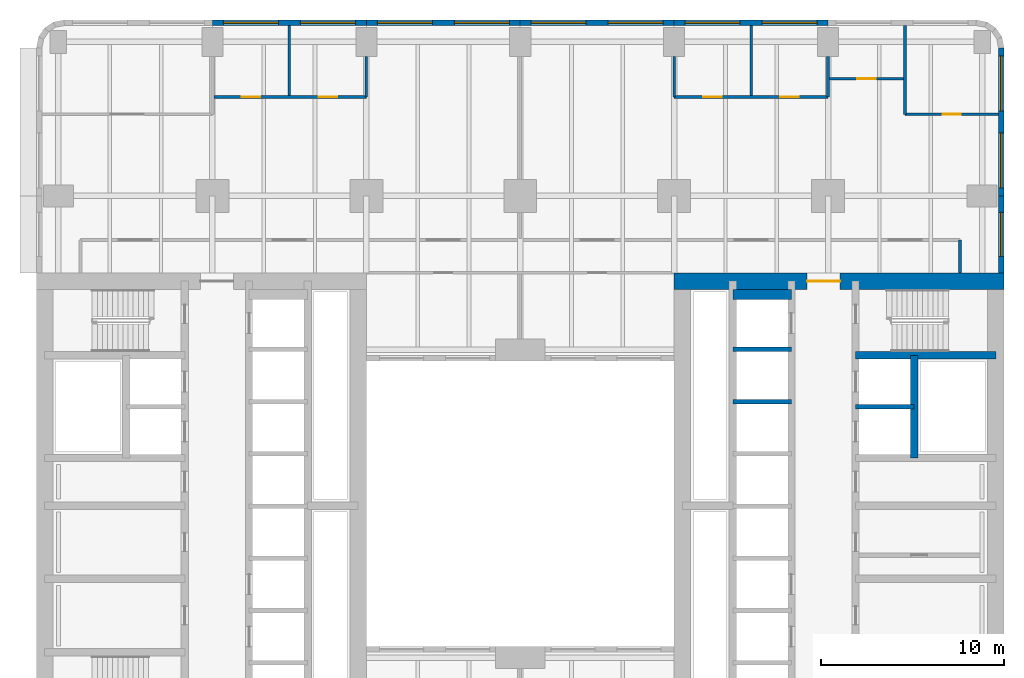
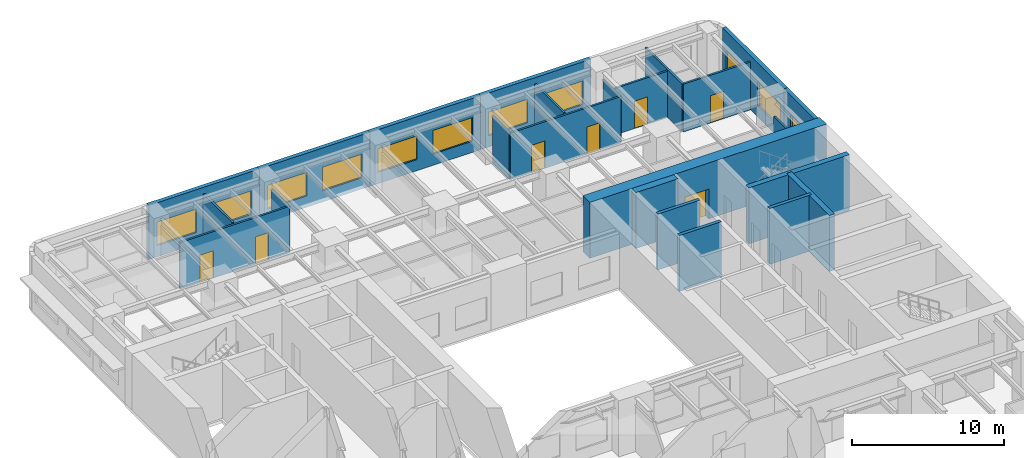
# One storey, part 7 of 12: 24 walls, 11 windows, 7 doors, 18 openings.
"""IFC4 building model written with IfcOpenShell, lengths in metres."""

from ifc_helpers import new_model, si_unit, direction, frame, frame_2d, origin, place, context, subcontext, project, spatial, rectangle, extrude, material, layer, layer_set, type_object, element, fill, save


model = new_model("IFC4")

# Units and contexts
model_context = context("Model", 3, precision=1e-05, world=origin(), true_north=direction((0.0, 1.0)))
body_context = subcontext(model_context, "Body", "Model", "MODEL_VIEW")
ifc_project = project(units=[si_unit("LENGTHUNIT", "METRE"), si_unit("AREAUNIT", "SQUARE_METRE"), si_unit("VOLUMEUNIT", "CUBIC_METRE"), si_unit("PLANEANGLEUNIT", "RADIAN"), si_unit("MASSUNIT", "GRAM", prefix="KILO")], contexts=[model_context])

# Site, building, storey
site_placement = place(None, origin())
site = spatial("IfcSite", under=ifc_project, at=site_placement, CompositionType="ELEMENT")
building_placement = place(site_placement, origin())
building = spatial("IfcBuilding", under=site, at=building_placement, Name="Claustro Exchange Tower", CompositionType="ELEMENT")
storey_placement = place(building_placement, frame((0.0, 0.0, 45.89990234375)))
storey = spatial("IfcBuildingStorey", under=building, at=storey_placement, Name="L10", CompositionType="ELEMENT", Elevation=45.89990234375)

# Wall, openings, doors
ifc_material_1 = material(Name="Gypsum board on steel studs", Category="steel")
ifc_layer_1 = layer(ifc_material_1, 0.14990234375)
ifc_layer_set_1 = layer_set([ifc_layer_1], Name="Gypsum board on steel studs")
wall_type_1 = type_object("IfcWallType", Name="P1 150 plasterboard partition", PredefinedType="PARTITIONING", material=ifc_layer_set_1)
wall_1_placement = place(storey_placement, frame((8.47412109375, 47.39990234375, 0.0), z_axis=(0.0, 0.0, 1.0), x_axis=(1.0, 0.0, 0.0)))
wall_1 = element("IfcWall", 1, at=wall_1_placement, inside=storey, type_object=wall_type_1, Name="Partition P1 L10", PredefinedType="PARTITIONING", context=body_context, shape_type="SweptSolid", body=[
    extrude(rectangle(XDim=8.325927734375, YDim=0.14990234375, at=frame_2d((4.1630859375, 0.0))), origin(), (0.0, 0.0, 1.0), 3.739990234375),
])
opening_1_placement = place(wall_1_placement, frame((1.52587890625, 0.0, 0.0)))
opening_1 = element("IfcOpeningElement", 2, at=opening_1_placement, cuts=wall_1, Name="Opening D1", PredefinedType="OPENING", context=body_context, shape_type="SweptSolid", body=[
    extrude(rectangle(XDim=1.0, YDim=2.199951171875, at=frame_2d((0.5, 1.10009765625))), frame((0.0, 0.0849609375, 0.0), z_axis=(0.0, -1.0, 0.0), x_axis=(1.0, 0.0, 0.0)), (0.0, 0.0, 1.0), 0.169921875),
])
opening_2_placement = place(wall_1_placement, frame((5.72607421875, 0.0, 0.0)))
opening_2 = element("IfcOpeningElement", 3, at=opening_2_placement, cuts=wall_1, Name="Opening D1", PredefinedType="OPENING", context=body_context, shape_type="SweptSolid", body=[
    extrude(rectangle(XDim=1.0, YDim=2.199951171875, at=frame_2d((0.5, 1.10009765625))), frame((0.0, 0.0849609375, 0.0), z_axis=(0.0, -1.0, 0.0), x_axis=(1.0, 0.0, 0.0)), (0.0, 0.0, 1.0), 0.169921875),
])
ifc_material_2 = material(Name="Timber door, oak veneer", Category="wood")
door_type_1 = type_object("IfcDoorType", Name="D1 1000 x 2200 single door", OperationType="SINGLE_SWING_LEFT", PredefinedType="DOOR", material=ifc_material_2)
door_1_placement = place(opening_1_placement, origin())
door_1 = element("IfcDoor", 4, at=door_1_placement, inside=storey, type_object=door_type_1, Name="Door D1 L10", OperationType="SINGLE_SWING_RIGHT", OverallHeight=2.199951171875, OverallWidth=1.0, PredefinedType="DOOR", context=body_context, shape_type="SweptSolid", body=[
    extrude(rectangle(XDim=1.0, YDim=2.199951171875, at=frame_2d((0.5, 1.10009765625))), frame((0.0, 0.02490234375, 0.0), z_axis=(0.0, -1.0, 0.0), x_axis=(1.0, 0.0, 0.0)), (0.0, 0.0, 1.0), 0.050048828125),
])
fill(opening_1, door_1)
door_2_placement = place(opening_2_placement, origin())
door_2 = element("IfcDoor", 5, at=door_2_placement, inside=storey, type_object=door_type_1, Name="Door D1 L10", OperationType="SINGLE_SWING_LEFT", OverallHeight=2.199951171875, OverallWidth=1.0, PredefinedType="DOOR", context=body_context, shape_type="SweptSolid", body=[
    extrude(rectangle(XDim=1.0, YDim=2.199951171875, at=frame_2d((0.5, 1.10009765625))), frame((0.0, 0.02490234375, 0.0), z_axis=(0.0, -1.0, 0.0), x_axis=(1.0, 0.0, 0.0)), (0.0, 0.0, 1.0), 0.050048828125),
])
fill(opening_2, door_2)

# Walls
wall_2_placement = place(storey_placement, frame((12.60009765625, 47.47412109375, 0.0), z_axis=(0.0, 0.0, 1.0), x_axis=(0.0, 1.0, 0.0)))
element("IfcWall", 6, at=wall_2_placement, inside=storey, type_object=wall_type_1, Name="Partition P1 L10", PredefinedType="PARTITIONING", context=body_context, shape_type="SweptSolid", body=[
    extrude(rectangle(XDim=3.827880859375, YDim=0.14990234375, at=frame_2d((1.9140625, 0.0))), origin(), (0.0, 0.0, 1.0), 3.840087890625),
])
wall_3_placement = place(storey_placement, frame((16.800048828125, 47.39990234375, 0.0), z_axis=(0.0, 0.0, 1.0), x_axis=(0.0, 1.0, 0.0)))
element("IfcWall", 7, at=wall_3_placement, inside=storey, type_object=wall_type_1, Name="Partition P1 L10", PredefinedType="PARTITIONING", context=body_context, shape_type="SweptSolid", body=[
    extrude(rectangle(XDim=2.201171875, YDim=0.14990234375, at=frame_2d((1.1005859375, 0.0))), origin(), (0.0, 0.0, 1.0), 3.739990234375),
])

# Wall, opening, door
wall_4_placement = place(storey_placement, frame((42.073974609375, 48.39990234375, 0.0), z_axis=(0.0, 0.0, 1.0), x_axis=(1.0, 0.0, 0.0)))
wall_4 = element("IfcWall", 8, at=wall_4_placement, inside=storey, type_object=wall_type_1, Name="Partition P1 L10", PredefinedType="PARTITIONING", context=body_context, shape_type="SweptSolid", body=[
    extrude(rectangle(XDim=4.052001953125, YDim=0.14990234375, at=frame_2d((2.02587890625, 0.0))), origin(), (0.0, 0.0, 1.0), 3.739990234375),
])
opening_3_placement = place(wall_4_placement, frame((1.52587890625, 0.0, 0.0)))
opening_3 = element("IfcOpeningElement", 9, at=opening_3_placement, cuts=wall_4, Name="Opening D1", PredefinedType="OPENING", context=body_context, shape_type="SweptSolid", body=[
    extrude(rectangle(XDim=1.0, YDim=2.199951171875, at=frame_2d((0.5, 1.10009765625))), frame((0.0, 0.0849609375, 0.0), z_axis=(0.0, -1.0, 0.0), x_axis=(1.0, 0.0, 0.0)), (0.0, 0.0, 1.0), 0.169921875),
])
door_3_placement = place(opening_3_placement, origin())
door_3 = element("IfcDoor", 10, at=door_3_placement, inside=storey, type_object=door_type_1, Name="Door D1 L10", OperationType="SINGLE_SWING_LEFT", OverallHeight=2.199951171875, OverallWidth=1.0, PredefinedType="DOOR", context=body_context, shape_type="SweptSolid", body=[
    extrude(rectangle(XDim=1.0, YDim=2.199951171875, at=frame_2d((0.5, 1.10009765625))), frame((0.0, 0.02490234375, 0.0), z_axis=(0.0, -1.0, 0.0), x_axis=(1.0, 0.0, 0.0)), (0.0, 0.0, 1.0), 0.050048828125),
])
fill(opening_3, door_3)

wall_5_placement = place(storey_placement, frame((46.199951171875, 46.449951171875, 0.0), z_axis=(0.0, 0.0, 1.0), x_axis=(1.0, 0.0, 0.0)))
wall_5 = element("IfcWall", 11, at=wall_5_placement, inside=storey, type_object=wall_type_1, Name="Partition P1 L10", PredefinedType="PARTITIONING", context=body_context, shape_type="SweptSolid", body=[
    extrude(rectangle(XDim=5.10205078125, YDim=0.14990234375, at=frame_2d((2.551025390625, 0.0))), origin(), (0.0, 0.0, 1.0), 3.840087890625),
])
opening_4_placement = place(wall_5_placement, frame((2.050048828125, 0.0, 0.0)))
opening_4 = element("IfcOpeningElement", 12, at=opening_4_placement, cuts=wall_5, Name="Opening D1", PredefinedType="OPENING", context=body_context, shape_type="SweptSolid", body=[
    extrude(rectangle(XDim=1.0, YDim=2.199951171875, at=frame_2d((0.5, 1.10009765625))), frame((0.0, 0.0849609375, 0.0), z_axis=(0.0, -1.0, 0.0), x_axis=(1.0, 0.0, 0.0)), (0.0, 0.0, 1.0), 0.169921875),
])
door_4_placement = place(opening_4_placement, origin())
door_4 = element("IfcDoor", 13, at=door_4_placement, inside=storey, type_object=door_type_1, Name="Door D1 L10", OperationType="SINGLE_SWING_LEFT", OverallHeight=2.199951171875, OverallWidth=1.0, PredefinedType="DOOR", context=body_context, shape_type="SweptSolid", body=[
    extrude(rectangle(XDim=1.0, YDim=2.199951171875, at=frame_2d((0.5, 1.10009765625))), frame((0.0, 0.02490234375, 0.0), z_axis=(0.0, -1.0, 0.0), x_axis=(1.0, 0.0, 0.0)), (0.0, 0.0, 1.0), 0.050048828125),
])
fill(opening_4, door_4)

# Wall, openings, doors
wall_6_placement = place(storey_placement, frame((33.60009765625, 47.39990234375, 0.0), z_axis=(0.0, 0.0, 1.0), x_axis=(1.0, 0.0, 0.0)))
wall_6 = element("IfcWall", 14, at=wall_6_placement, inside=storey, type_object=wall_type_1, Name="Partition P1 L10", PredefinedType="PARTITIONING", context=body_context, shape_type="SweptSolid", body=[
    extrude(rectangle(XDim=8.39990234375, YDim=0.14990234375, at=frame_2d((4.199951171875, 0.0))), origin(), (0.0, 0.0, 1.0), 3.739990234375),
])
opening_5_placement = place(wall_6_placement, frame((1.60009765625, 0.0, 0.0)))
opening_5 = element("IfcOpeningElement", 15, at=opening_5_placement, cuts=wall_6, Name="Opening D1", PredefinedType="OPENING", context=body_context, shape_type="SweptSolid", body=[
    extrude(rectangle(XDim=1.0, YDim=2.199951171875, at=frame_2d((0.5, 1.10009765625))), frame((0.0, 0.0849609375, 0.0), z_axis=(0.0, -1.0, 0.0), x_axis=(1.0, 0.0, 0.0)), (0.0, 0.0, 1.0), 0.169921875),
])
opening_6_placement = place(wall_6_placement, frame((5.800048828125, 0.0, 0.0)))
opening_6 = element("IfcOpeningElement", 16, at=opening_6_placement, cuts=wall_6, Name="Opening D1", PredefinedType="OPENING", context=body_context, shape_type="SweptSolid", body=[
    extrude(rectangle(XDim=1.0, YDim=2.199951171875, at=frame_2d((0.5, 1.10009765625))), frame((0.0, 0.0849609375, 0.0), z_axis=(0.0, -1.0, 0.0), x_axis=(1.0, 0.0, 0.0)), (0.0, 0.0, 1.0), 0.169921875),
])
door_5_placement = place(opening_5_placement, origin())
door_5 = element("IfcDoor", 17, at=door_5_placement, inside=storey, type_object=door_type_1, Name="Door D1 L10", OperationType="SINGLE_SWING_RIGHT", OverallHeight=2.199951171875, OverallWidth=1.0, PredefinedType="DOOR", context=body_context, shape_type="SweptSolid", body=[
    extrude(rectangle(XDim=1.0, YDim=2.199951171875, at=frame_2d((0.5, 1.10009765625))), frame((0.0, 0.02490234375, 0.0), z_axis=(0.0, -1.0, 0.0), x_axis=(1.0, 0.0, 0.0)), (0.0, 0.0, 1.0), 0.050048828125),
])
fill(opening_5, door_5)
door_6_placement = place(opening_6_placement, origin())
door_6 = element("IfcDoor", 18, at=door_6_placement, inside=storey, type_object=door_type_1, Name="Door D1 L10", OperationType="SINGLE_SWING_RIGHT", OverallHeight=2.199951171875, OverallWidth=1.0, PredefinedType="DOOR", context=body_context, shape_type="SweptSolid", body=[
    extrude(rectangle(XDim=1.0, YDim=2.199951171875, at=frame_2d((0.5, 1.10009765625))), frame((0.0, 0.02490234375, 0.0), z_axis=(0.0, -1.0, 0.0), x_axis=(1.0, 0.0, 0.0)), (0.0, 0.0, 1.0), 0.050048828125),
])
fill(opening_6, door_6)

# Walls
wall_7_placement = place(storey_placement, frame((33.60009765625, 47.39990234375, 0.0), z_axis=(0.0, 0.0, 1.0), x_axis=(0.0, 1.0, 0.0)))
element("IfcWall", 19, at=wall_7_placement, inside=storey, type_object=wall_type_1, Name="Partition P1 L10", PredefinedType="PARTITIONING", context=body_context, shape_type="SweptSolid", body=[
    extrude(rectangle(XDim=2.201171875, YDim=0.14990234375, at=frame_2d((1.1005859375, 0.0))), origin(), (0.0, 0.0, 1.0), 3.739990234375),
])
wall_8_placement = place(storey_placement, frame((37.800048828125, 47.47412109375, 0.0), z_axis=(0.0, 0.0, 1.0), x_axis=(0.0, 1.0, 0.0)))
element("IfcWall", 20, at=wall_8_placement, inside=storey, type_object=wall_type_1, Name="Partition P1 L10", PredefinedType="PARTITIONING", context=body_context, shape_type="SweptSolid", body=[
    extrude(rectangle(XDim=3.827880859375, YDim=0.14990234375, at=frame_2d((1.9140625, 0.0))), origin(), (0.0, 0.0, 1.0), 3.840087890625),
])
wall_9_placement = place(storey_placement, frame((42.0, 47.39990234375, 0.0), z_axis=(0.0, 0.0, 1.0), x_axis=(0.0, 1.0, 0.0)))
element("IfcWall", 21, at=wall_9_placement, inside=storey, type_object=wall_type_1, Name="Partition P1 L10", PredefinedType="PARTITIONING", context=body_context, shape_type="SweptSolid", body=[
    extrude(rectangle(XDim=2.201171875, YDim=0.14990234375, at=frame_2d((1.1005859375, 0.0))), origin(), (0.0, 0.0, 1.0), 3.739990234375),
])
wall_10_placement = place(storey_placement, frame((46.199951171875, 46.449951171875, 0.0), z_axis=(0.0, 0.0, 1.0), x_axis=(0.0, 1.0, 0.0)))
element("IfcWall", 22, at=wall_10_placement, inside=storey, type_object=wall_type_1, Name="Partition P1 L10", PredefinedType="PARTITIONING", context=body_context, shape_type="SweptSolid", body=[
    extrude(rectangle(XDim=4.85205078125, YDim=0.14990234375, at=frame_2d((2.426025390625, 0.0))), origin(), (0.0, 0.0, 1.0), 3.840087890625),
])
wall_11_placement = place(storey_placement, frame((49.199951171875, 37.800048828125, 0.0), z_axis=(0.0, 0.0, 1.0), x_axis=(0.0, 1.0, 0.0)))
element("IfcWall", 23, at=wall_11_placement, inside=storey, type_object=wall_type_1, Name="Partition P1 L10", PredefinedType="PARTITIONING", context=body_context, shape_type="SweptSolid", body=[
    extrude(rectangle(XDim=1.800048828125, YDim=0.14990234375, at=frame_2d((0.89990234375, 0.0))), origin(), (0.0, 0.0, 1.0), 4.340087890625),
])

# Wall, openings, windows
ifc_material_3 = material(Name="Concrete HA-40 (C40/50), precast, white cement, acid-etched", Category="concrete")
ifc_layer_2 = layer(ifc_material_3, 0.300048828125)
ifc_layer_set_2 = layer_set([ifc_layer_2], Name="Concrete HA-40 (C40/50), precast, white cement, acid-etched")
wall_type_2 = type_object("IfcWallType", Name="PC1 300 precast concrete pier panel", PredefinedType="SOLIDWALL", material=ifc_layer_set_2)
wall_12_placement = place(storey_placement, frame((8.39990234375, 51.449951171875, 0.0), z_axis=(0.0, 0.0, 1.0), x_axis=(1.0, 0.0, 0.0)))
wall_12 = element("IfcWall", 24, at=wall_12_placement, inside=storey, type_object=wall_type_2, Name="Precast pier panel PC1 L10", PredefinedType="SOLIDWALL", context=body_context, shape_type="SweptSolid", body=[
    extrude(rectangle(XDim=8.400146484375, YDim=0.300048828125, at=frame_2d((4.2001953125, 0.0))), origin(), (0.0, 0.0, 1.0), 4.340087890625),
])
opening_7_placement = place(wall_12_placement, frame((0.60009765625, 0.0, 0.89990234375)))
opening_7 = element("IfcOpeningElement", 25, at=opening_7_placement, cuts=wall_12, Name="Opening W1", PredefinedType="OPENING", context=body_context, shape_type="SweptSolid", body=[
    extrude(rectangle(XDim=3.0, YDim=1.89990234375, at=frame_2d((1.5, 0.949951171875))), frame((0.0, 0.159912109375, 0.0), z_axis=(0.0, -1.0, 0.0), x_axis=(1.0, 0.0, 0.0)), (0.0, 0.0, 1.0), 0.320068359375),
])
opening_8_placement = place(wall_12_placement, frame((4.800048828125, 0.0, 0.89990234375)))
opening_8 = element("IfcOpeningElement", 26, at=opening_8_placement, cuts=wall_12, Name="Opening W1", PredefinedType="OPENING", context=body_context, shape_type="SweptSolid", body=[
    extrude(rectangle(XDim=3.0, YDim=1.89990234375, at=frame_2d((1.5, 0.949951171875))), frame((0.0, 0.159912109375, 0.0), z_axis=(0.0, -1.0, 0.0), x_axis=(1.0, 0.0, 0.0)), (0.0, 0.0, 1.0), 0.320068359375),
])
ifc_material_4 = material(Name="Aluminium frame, clear double glazing", Category="aluminium")
window_type_1 = type_object("IfcWindowType", Name="W1 3000 x 1900 window", PartitioningType="SINGLE_PANEL", PredefinedType="WINDOW", material=ifc_material_4)
window_1_placement = place(opening_7_placement, origin())
window_1 = element("IfcWindow", 27, at=window_1_placement, inside=storey, type_object=window_type_1, Name="Window W1 L10", OverallHeight=1.89990234375, OverallWidth=3.0, PartitioningType="SINGLE_PANEL", PredefinedType="WINDOW", context=body_context, shape_type="SweptSolid", body=[
    extrude(rectangle(XDim=3.0, YDim=1.89990234375, at=frame_2d((1.5, 0.949951171875))), frame((0.0, 0.030029296875, 0.0), z_axis=(0.0, -1.0, 0.0), x_axis=(1.0, 0.0, 0.0)), (0.0, 0.0, 1.0), 0.06005859375),
])
fill(opening_7, window_1)
window_2_placement = place(opening_8_placement, origin())
window_2 = element("IfcWindow", 28, at=window_2_placement, inside=storey, type_object=window_type_1, Name="Window W1 L10", OverallHeight=1.89990234375, OverallWidth=3.0, PartitioningType="SINGLE_PANEL", PredefinedType="WINDOW", context=body_context, shape_type="SweptSolid", body=[
    extrude(rectangle(XDim=3.0, YDim=1.89990234375, at=frame_2d((1.5, 0.949951171875))), frame((0.0, 0.030029296875, 0.0), z_axis=(0.0, -1.0, 0.0), x_axis=(1.0, 0.0, 0.0)), (0.0, 0.0, 1.0), 0.06005859375),
])
fill(opening_8, window_2)

wall_13_placement = place(storey_placement, frame((16.800048828125, 51.449951171875, 0.0), z_axis=(0.0, 0.0, 1.0), x_axis=(1.0, 0.0, 0.0)))
wall_13 = element("IfcWall", 29, at=wall_13_placement, inside=storey, type_object=wall_type_2, Name="Precast pier panel PC1 L10", PredefinedType="SOLIDWALL", context=body_context, shape_type="SweptSolid", body=[
    extrude(rectangle(XDim=8.39990234375, YDim=0.300048828125, at=frame_2d((4.199951171875, 0.0))), origin(), (0.0, 0.0, 1.0), 4.340087890625),
])
opening_9_placement = place(wall_13_placement, frame((0.60009765625, 0.0, 0.89990234375)))
opening_9 = element("IfcOpeningElement", 30, at=opening_9_placement, cuts=wall_13, Name="Opening W1", PredefinedType="OPENING", context=body_context, shape_type="SweptSolid", body=[
    extrude(rectangle(XDim=3.0, YDim=1.89990234375, at=frame_2d((1.5, 0.949951171875))), frame((0.0, 0.159912109375, 0.0), z_axis=(0.0, -1.0, 0.0), x_axis=(1.0, 0.0, 0.0)), (0.0, 0.0, 1.0), 0.320068359375),
])
opening_10_placement = place(wall_13_placement, frame((4.800048828125, 0.0, 0.89990234375)))
opening_10 = element("IfcOpeningElement", 31, at=opening_10_placement, cuts=wall_13, Name="Opening W1", PredefinedType="OPENING", context=body_context, shape_type="SweptSolid", body=[
    extrude(rectangle(XDim=3.0, YDim=1.89990234375, at=frame_2d((1.5, 0.949951171875))), frame((0.0, 0.159912109375, 0.0), z_axis=(0.0, -1.0, 0.0), x_axis=(1.0, 0.0, 0.0)), (0.0, 0.0, 1.0), 0.320068359375),
])
window_3_placement = place(opening_9_placement, origin())
window_3 = element("IfcWindow", 32, at=window_3_placement, inside=storey, type_object=window_type_1, Name="Window W1 L10", OverallHeight=1.89990234375, OverallWidth=3.0, PartitioningType="SINGLE_PANEL", PredefinedType="WINDOW", context=body_context, shape_type="SweptSolid", body=[
    extrude(rectangle(XDim=3.0, YDim=1.89990234375, at=frame_2d((1.5, 0.949951171875))), frame((0.0, 0.030029296875, 0.0), z_axis=(0.0, -1.0, 0.0), x_axis=(1.0, 0.0, 0.0)), (0.0, 0.0, 1.0), 0.06005859375),
])
fill(opening_9, window_3)
window_4_placement = place(opening_10_placement, origin())
window_4 = element("IfcWindow", 33, at=window_4_placement, inside=storey, type_object=window_type_1, Name="Window W1 L10", OverallHeight=1.89990234375, OverallWidth=3.0, PartitioningType="SINGLE_PANEL", PredefinedType="WINDOW", context=body_context, shape_type="SweptSolid", body=[
    extrude(rectangle(XDim=3.0, YDim=1.89990234375, at=frame_2d((1.5, 0.949951171875))), frame((0.0, 0.030029296875, 0.0), z_axis=(0.0, -1.0, 0.0), x_axis=(1.0, 0.0, 0.0)), (0.0, 0.0, 1.0), 0.06005859375),
])
fill(opening_10, window_4)

wall_14_placement = place(storey_placement, frame((25.199951171875, 51.449951171875, 0.0), z_axis=(0.0, 0.0, 1.0), x_axis=(1.0, 0.0, 0.0)))
wall_14 = element("IfcWall", 34, at=wall_14_placement, inside=storey, type_object=wall_type_2, Name="Precast pier panel PC1 L10", PredefinedType="SOLIDWALL", context=body_context, shape_type="SweptSolid", body=[
    extrude(rectangle(XDim=8.400146484375, YDim=0.300048828125, at=frame_2d((4.2001953125, 0.0))), origin(), (0.0, 0.0, 1.0), 4.340087890625),
])
opening_11_placement = place(wall_14_placement, frame((0.60009765625, 0.0, 0.89990234375)))
opening_11 = element("IfcOpeningElement", 35, at=opening_11_placement, cuts=wall_14, Name="Opening W1", PredefinedType="OPENING", context=body_context, shape_type="SweptSolid", body=[
    extrude(rectangle(XDim=3.0, YDim=1.89990234375, at=frame_2d((1.5, 0.949951171875))), frame((0.0, 0.159912109375, 0.0), z_axis=(0.0, -1.0, 0.0), x_axis=(1.0, 0.0, 0.0)), (0.0, 0.0, 1.0), 0.320068359375),
])
opening_12_placement = place(wall_14_placement, frame((4.800048828125, 0.0, 0.89990234375)))
opening_12 = element("IfcOpeningElement", 36, at=opening_12_placement, cuts=wall_14, Name="Opening W1", PredefinedType="OPENING", context=body_context, shape_type="SweptSolid", body=[
    extrude(rectangle(XDim=3.0, YDim=1.89990234375, at=frame_2d((1.5, 0.949951171875))), frame((0.0, 0.159912109375, 0.0), z_axis=(0.0, -1.0, 0.0), x_axis=(1.0, 0.0, 0.0)), (0.0, 0.0, 1.0), 0.320068359375),
])
window_5_placement = place(opening_11_placement, origin())
window_5 = element("IfcWindow", 37, at=window_5_placement, inside=storey, type_object=window_type_1, Name="Window W1 L10", OverallHeight=1.89990234375, OverallWidth=3.0, PartitioningType="SINGLE_PANEL", PredefinedType="WINDOW", context=body_context, shape_type="SweptSolid", body=[
    extrude(rectangle(XDim=3.0, YDim=1.89990234375, at=frame_2d((1.5, 0.949951171875))), frame((0.0, 0.030029296875, 0.0), z_axis=(0.0, -1.0, 0.0), x_axis=(1.0, 0.0, 0.0)), (0.0, 0.0, 1.0), 0.06005859375),
])
fill(opening_11, window_5)
window_6_placement = place(opening_12_placement, origin())
window_6 = element("IfcWindow", 38, at=window_6_placement, inside=storey, type_object=window_type_1, Name="Window W1 L10", OverallHeight=1.89990234375, OverallWidth=3.0, PartitioningType="SINGLE_PANEL", PredefinedType="WINDOW", context=body_context, shape_type="SweptSolid", body=[
    extrude(rectangle(XDim=3.0, YDim=1.89990234375, at=frame_2d((1.5, 0.949951171875))), frame((0.0, 0.030029296875, 0.0), z_axis=(0.0, -1.0, 0.0), x_axis=(1.0, 0.0, 0.0)), (0.0, 0.0, 1.0), 0.06005859375),
])
fill(opening_12, window_6)

wall_15_placement = place(storey_placement, frame((33.60009765625, 51.449951171875, 0.0), z_axis=(0.0, 0.0, 1.0), x_axis=(1.0, 0.0, 0.0)))
wall_15 = element("IfcWall", 39, at=wall_15_placement, inside=storey, type_object=wall_type_2, Name="Precast pier panel PC1 L10", PredefinedType="SOLIDWALL", context=body_context, shape_type="SweptSolid", body=[
    extrude(rectangle(XDim=8.39990234375, YDim=0.300048828125, at=frame_2d((4.199951171875, 0.0))), origin(), (0.0, 0.0, 1.0), 4.340087890625),
])
opening_13_placement = place(wall_15_placement, frame((0.60009765625, 0.0, 0.89990234375)))
opening_13 = element("IfcOpeningElement", 40, at=opening_13_placement, cuts=wall_15, Name="Opening W1", PredefinedType="OPENING", context=body_context, shape_type="SweptSolid", body=[
    extrude(rectangle(XDim=3.0, YDim=1.89990234375, at=frame_2d((1.5, 0.949951171875))), frame((0.0, 0.159912109375, 0.0), z_axis=(0.0, -1.0, 0.0), x_axis=(1.0, 0.0, 0.0)), (0.0, 0.0, 1.0), 0.320068359375),
])
opening_14_placement = place(wall_15_placement, frame((4.800048828125, 0.0, 0.89990234375)))
opening_14 = element("IfcOpeningElement", 41, at=opening_14_placement, cuts=wall_15, Name="Opening W1", PredefinedType="OPENING", context=body_context, shape_type="SweptSolid", body=[
    extrude(rectangle(XDim=3.0, YDim=1.89990234375, at=frame_2d((1.5, 0.949951171875))), frame((0.0, 0.159912109375, 0.0), z_axis=(0.0, -1.0, 0.0), x_axis=(1.0, 0.0, 0.0)), (0.0, 0.0, 1.0), 0.320068359375),
])
window_7_placement = place(opening_13_placement, origin())
window_7 = element("IfcWindow", 42, at=window_7_placement, inside=storey, type_object=window_type_1, Name="Window W1 L10", OverallHeight=1.89990234375, OverallWidth=3.0, PartitioningType="SINGLE_PANEL", PredefinedType="WINDOW", context=body_context, shape_type="SweptSolid", body=[
    extrude(rectangle(XDim=3.0, YDim=1.89990234375, at=frame_2d((1.5, 0.949951171875))), frame((0.0, 0.030029296875, 0.0), z_axis=(0.0, -1.0, 0.0), x_axis=(1.0, 0.0, 0.0)), (0.0, 0.0, 1.0), 0.06005859375),
])
fill(opening_13, window_7)
window_8_placement = place(opening_14_placement, origin())
window_8 = element("IfcWindow", 43, at=window_8_placement, inside=storey, type_object=window_type_1, Name="Window W1 L10", OverallHeight=1.89990234375, OverallWidth=3.0, PartitioningType="SINGLE_PANEL", PredefinedType="WINDOW", context=body_context, shape_type="SweptSolid", body=[
    extrude(rectangle(XDim=3.0, YDim=1.89990234375, at=frame_2d((1.5, 0.949951171875))), frame((0.0, 0.030029296875, 0.0), z_axis=(0.0, -1.0, 0.0), x_axis=(1.0, 0.0, 0.0)), (0.0, 0.0, 1.0), 0.06005859375),
])
fill(opening_14, window_8)

wall_16_placement = place(storey_placement, frame((51.449951171875, 50.085205078125, 0.0), z_axis=(0.0, 0.0, 1.0), x_axis=(0.0, -1.0, 0.0)))
wall_16 = element("IfcWall", 44, at=wall_16_placement, inside=storey, type_object=wall_type_2, Name="Precast pier panel PC1 L10", PredefinedType="SOLIDWALL", context=body_context, shape_type="SweptSolid", body=[
    extrude(rectangle(XDim=8.085205078125, YDim=0.300048828125, at=frame_2d((4.04248046875, 0.0))), origin(), (0.0, 0.0, 1.0), 4.340087890625),
])
opening_15_placement = place(wall_16_placement, frame((0.442626953125, 0.0, 0.89990234375)))
opening_15 = element("IfcOpeningElement", 45, at=opening_15_placement, cuts=wall_16, Name="Opening W1", PredefinedType="OPENING", context=body_context, shape_type="SweptSolid", body=[
    extrude(rectangle(XDim=3.0, YDim=1.89990234375, at=frame_2d((1.5, 0.949951171875))), frame((0.0, 0.159912109375, 0.0), z_axis=(0.0, -1.0, 0.0), x_axis=(1.0, 0.0, 0.0)), (0.0, 0.0, 1.0), 0.320068359375),
])
opening_16_placement = place(wall_16_placement, frame((4.642578125, 0.0, 0.89990234375)))
opening_16 = element("IfcOpeningElement", 46, at=opening_16_placement, cuts=wall_16, Name="Opening W1", PredefinedType="OPENING", context=body_context, shape_type="SweptSolid", body=[
    extrude(rectangle(XDim=3.0, YDim=1.89990234375, at=frame_2d((1.5, 0.949951171875))), frame((0.0, 0.159912109375, 0.0), z_axis=(0.0, -1.0, 0.0), x_axis=(1.0, 0.0, 0.0)), (0.0, 0.0, 1.0), 0.320068359375),
])
window_9_placement = place(opening_15_placement, origin())
window_9 = element("IfcWindow", 47, at=window_9_placement, inside=storey, type_object=window_type_1, Name="Window W1 L10", OverallHeight=1.89990234375, OverallWidth=3.0, PartitioningType="SINGLE_PANEL", PredefinedType="WINDOW", context=body_context, shape_type="SweptSolid", body=[
    extrude(rectangle(XDim=3.0, YDim=1.89990234375, at=frame_2d((1.5, 0.949951171875))), frame((0.0, 0.030029296875, 0.0), z_axis=(0.0, -1.0, 0.0), x_axis=(1.0, 0.0, 0.0)), (0.0, 0.0, 1.0), 0.06005859375),
])
fill(opening_15, window_9)
window_10_placement = place(opening_16_placement, origin())
window_10 = element("IfcWindow", 48, at=window_10_placement, inside=storey, type_object=window_type_1, Name="Window W1 L10", OverallHeight=1.89990234375, OverallWidth=3.0, PartitioningType="SINGLE_PANEL", PredefinedType="WINDOW", context=body_context, shape_type="SweptSolid", body=[
    extrude(rectangle(XDim=3.0, YDim=1.89990234375, at=frame_2d((1.5, 0.949951171875))), frame((0.0, 0.030029296875, 0.0), z_axis=(0.0, -1.0, 0.0), x_axis=(1.0, 0.0, 0.0)), (0.0, 0.0, 1.0), 0.06005859375),
])
fill(opening_16, window_10)

# Wall, opening, window
wall_17_placement = place(storey_placement, frame((51.449951171875, 42.0, 0.0), z_axis=(0.0, 0.0, 1.0), x_axis=(0.0, -1.0, 0.0)))
wall_17 = element("IfcWall", 49, at=wall_17_placement, inside=storey, type_object=wall_type_2, Name="Precast pier panel PC1 L10", PredefinedType="SOLIDWALL", context=body_context, shape_type="SweptSolid", body=[
    extrude(rectangle(XDim=4.199951171875, YDim=0.300048828125, at=frame_2d((2.10009765625, 0.0))), origin(), (0.0, 0.0, 1.0), 4.340087890625),
])
opening_17_placement = place(wall_17_placement, frame((0.89990234375, 0.0, 0.89990234375)))
opening_17 = element("IfcOpeningElement", 50, at=opening_17_placement, cuts=wall_17, Name="Opening W2", PredefinedType="OPENING", context=body_context, shape_type="SweptSolid", body=[
    extrude(rectangle(XDim=2.39990234375, YDim=1.89990234375, at=frame_2d((1.199951171875, 0.949951171875))), frame((0.0, 0.159912109375, 0.0), z_axis=(0.0, -1.0, 0.0), x_axis=(1.0, 0.0, 0.0)), (0.0, 0.0, 1.0), 0.320068359375),
])
ifc_material_5 = material(Name="Aluminium frame, clear double glazing", Category="aluminium")
window_type_2 = type_object("IfcWindowType", Name="W2 2400 x 1900 window", PartitioningType="SINGLE_PANEL", PredefinedType="WINDOW", material=ifc_material_5)
window_11_placement = place(opening_17_placement, origin())
window_11 = element("IfcWindow", 51, at=window_11_placement, inside=storey, type_object=window_type_2, Name="Window W2 L10", OverallHeight=1.89990234375, OverallWidth=2.39990234375, PartitioningType="SINGLE_PANEL", PredefinedType="WINDOW", context=body_context, shape_type="SweptSolid", body=[
    extrude(rectangle(XDim=2.39990234375, YDim=1.89990234375, at=frame_2d((1.199951171875, 0.949951171875))), frame((0.0, 0.030029296875, 0.0), z_axis=(0.0, -1.0, 0.0), x_axis=(1.0, 0.0, 0.0)), (0.0, 0.0, 1.0), 0.06005859375),
])
fill(opening_17, window_11)

# Wall, opening, door
ifc_material_6 = material(Name="Concrete HA-70 (C70/85)", Category="concrete")
ifc_layer_3 = layer(ifc_material_6, 0.89990234375)
ifc_layer_set_3 = layer_set([ifc_layer_3], Name="Concrete HA-70 (C70/85)")
wall_type_3 = type_object("IfcWallType", Name="SW1 900 core shear wall", PredefinedType="SHEAR", material=ifc_layer_set_3)
wall_18_placement = place(storey_placement, frame((33.60009765625, 37.35009765625, 0.0), z_axis=(0.0, 0.0, 1.0), x_axis=(1.0, 0.0, 0.0)))
wall_18 = element("IfcWall", 52, at=wall_18_placement, inside=storey, type_object=wall_type_3, Name="Core wall SW1 E core N face L10", PredefinedType="SHEAR", context=body_context, shape_type="SweptSolid", body=[
    extrude(rectangle(XDim=18.0, YDim=0.89990234375, at=frame_2d((9.0, 0.0))), origin(), (0.0, 0.0, 1.0), 4.5),
])
opening_18_placement = place(wall_18_placement, frame((7.25, 0.0, 0.0)))
opening_18 = element("IfcOpeningElement", 53, at=opening_18_placement, cuts=wall_18, Name="Opening D3", PredefinedType="OPENING", context=body_context, shape_type="SweptSolid", body=[
    extrude(rectangle(XDim=1.800048828125, YDim=2.39990234375, at=frame_2d((0.89990234375, 1.199951171875))), frame((0.0, 0.4599609375, 0.0), z_axis=(0.0, -1.0, 0.0), x_axis=(1.0, 0.0, 0.0)), (0.0, 0.0, 1.0), 0.919921875),
])
ifc_material_7 = material(Name="Steel fire door, painted", Category="steel")
door_type_2 = type_object("IfcDoorType", Name="D3 1800 x 2400 fire-rated lobby double door", OperationType="DOUBLE_DOOR_SINGLE_SWING", PredefinedType="DOOR", material=ifc_material_7)
door_7_placement = place(opening_18_placement, frame((1.800048828125, 0.0, 0.0), z_axis=(0.0, 0.0, 1.0), x_axis=(-1.0, 0.0, 0.0)))
door_7 = element("IfcDoor", 54, at=door_7_placement, inside=storey, type_object=door_type_2, Name="Lift lobby door D3 L10", OperationType="DOUBLE_DOOR_SINGLE_SWING", OverallHeight=2.39990234375, OverallWidth=1.800048828125, PredefinedType="DOOR", context=body_context, shape_type="SweptSolid", body=[
    extrude(rectangle(XDim=1.800048828125, YDim=2.39990234375, at=frame_2d((0.89990234375, 1.199951171875))), frame((0.0, 0.02490234375, 0.0), z_axis=(0.0, -1.0, 0.0), x_axis=(1.0, 0.0, 0.0)), (0.0, 0.0, 1.0), 0.050048828125),
])
fill(opening_18, door_7)

# Walls
ifc_material_8 = material(Name="Concrete HA-50 (C50/60)", Category="concrete")
ifc_layer_4 = layer(ifc_material_8, 0.39990234375)
ifc_layer_set_4 = layer_set([ifc_layer_4], Name="Concrete HA-50 (C50/60)")
wall_type_4 = type_object("IfcWallType", Name="SW4 400 internal core wall", PredefinedType="SHEAR", material=ifc_layer_set_4)
wall_19_placement = place(storey_placement, frame((51.14990234375, 33.300048828125, 0.0), z_axis=(0.0, 0.0, 1.0), x_axis=(-1.0, 0.0, 0.0)))
element("IfcWall", 55, at=wall_19_placement, inside=storey, type_object=wall_type_4, Name="Internal core wall SW4 E core L10", PredefinedType="SHEAR", context=body_context, shape_type="SweptSolid", body=[
    extrude(rectangle(XDim=7.64990234375, YDim=0.39990234375, at=frame_2d((3.824951171875, 0.0))), origin(), (0.0, 0.0, 1.0), 4.5),
])
wall_20_placement = place(storey_placement, frame((46.699951171875, 27.699951171875, 0.0), z_axis=(0.0, 0.0, 1.0), x_axis=(0.0, 1.0, 0.0)))
element("IfcWall", 56, at=wall_20_placement, inside=storey, type_object=wall_type_4, Name="Internal core wall SW4 E core L10", PredefinedType="SHEAR", context=body_context, shape_type="SweptSolid", body=[
    extrude(rectangle(XDim=5.60009765625, YDim=0.39990234375, at=frame_2d((2.800048828125, 0.0))), origin(), (0.0, 0.0, 1.0), 4.5),
])
ifc_material_9 = material(Name="Concrete HA-50 (C50/60)", Category="concrete")
ifc_layer_5 = layer(ifc_material_9, 0.25)
ifc_layer_set_5 = layer_set([ifc_layer_5], Name="Concrete HA-50 (C50/60)")
wall_type_5 = type_object("IfcWallType", Name="SW5 250 lift shaft divider wall", PredefinedType="SHEAR", material=ifc_layer_set_5)
for number, where, z_axis, x_axis, name in (
    (57, (46.699951171875, 30.5, 0.0), (0.0, 0.0, 1.0), (-1.0, 0.0, 0.0), "Lift shaft wall E core L10"),
    (58, (40.0, 30.77490234375, 0.0), (0.0, 0.0, 1.0), (-1.0, 0.0, 0.0), "Lift shaft wall E core L10"),
    (59, (40.0, 33.625, 0.0), (0.0, 0.0, 1.0), (-1.0, 0.0, 0.0), "Lift shaft wall E core L10"),
):
    element("IfcWall", number, at=place(storey_placement, frame(where, z_axis=z_axis, x_axis=x_axis)), inside=storey, type_object=wall_type_5, Name=name, PredefinedType="SHEAR", context=body_context, shape_type="SweptSolid", body=[
        extrude(rectangle(XDim=3.199951171875, YDim=0.25, at=frame_2d((1.60009765625, 0.0))), origin(), (0.0, 0.0, 1.0), 4.5),
    ])
ifc_material_10 = material(Name="Concrete HA-50 (C50/60)", Category="concrete")
ifc_layer_6 = layer(ifc_material_10, 0.550048828125)
ifc_layer_set_6 = layer_set([ifc_layer_6], Name="Concrete HA-50 (C50/60)")
wall_type_6 = type_object("IfcWallType", Name="SW6 550 lift shaft end wall", PredefinedType="SHEAR", material=ifc_layer_set_6)
wall_21_placement = place(storey_placement, frame((40.0, 36.625, 0.0), z_axis=(0.0, 0.0, 1.0), x_axis=(-1.0, 0.0, 0.0)))
element("IfcWall", 60, at=wall_21_placement, inside=storey, type_object=wall_type_6, Name="Lift shaft wall E core L10", PredefinedType="SHEAR", context=body_context, shape_type="SweptSolid", body=[
    extrude(rectangle(XDim=3.199951171875, YDim=0.550048828125, at=frame_2d((1.60009765625, 0.0))), origin(), (0.0, 0.0, 1.0), 4.5),
])

save(model, "model.ifc")
